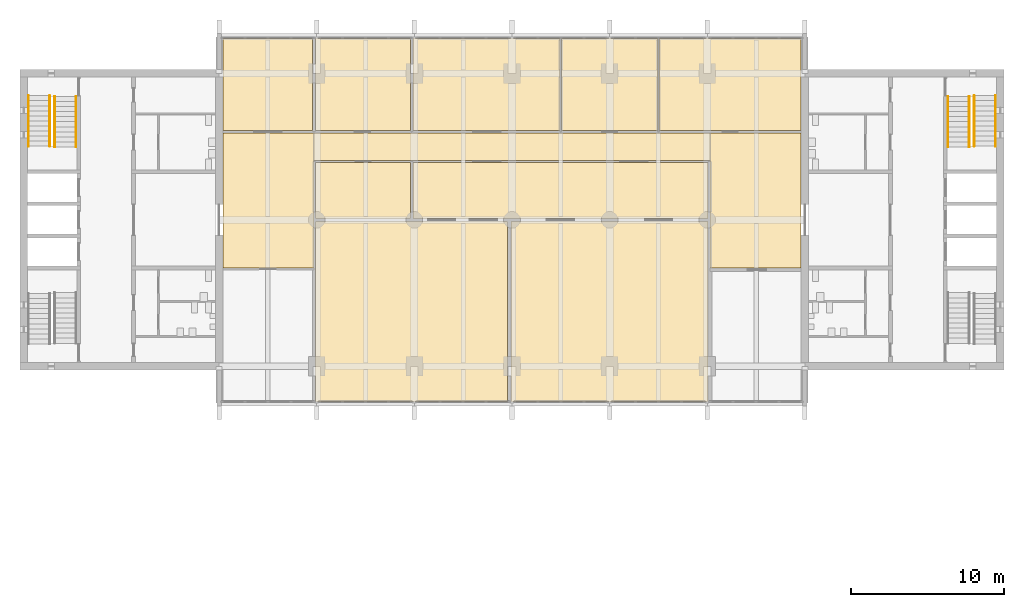
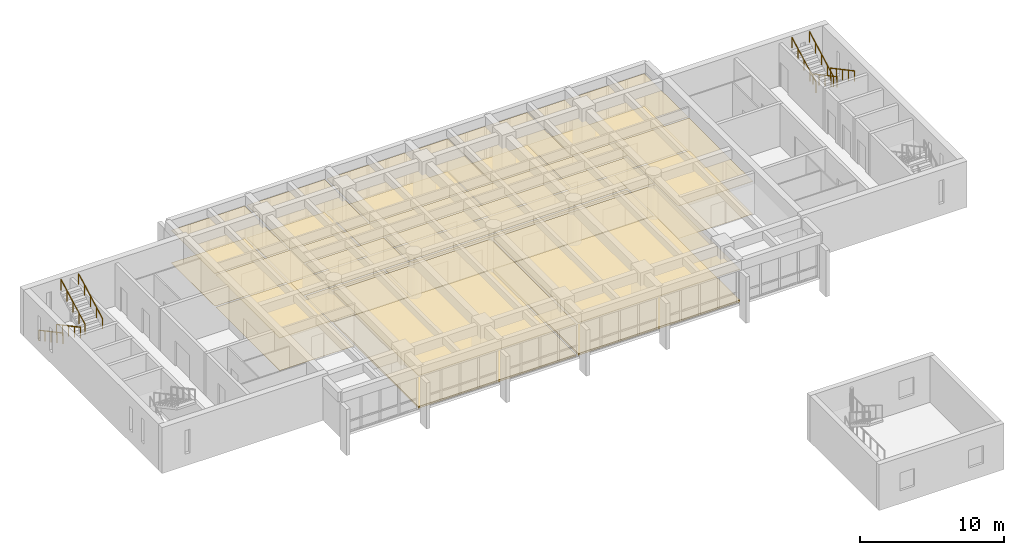
# One storey, part 18 of 19: 24 coverings, 8 railings.
"""IFC4 building model written with IfcOpenShell, lengths in metres."""

from ifc_helpers import new_model, si_unit, direction, frame, origin, origin_2d, place, context, subcontext, project, spatial, polyline, circle, outline, extrude, material, layer, layer_set, type_object, element, save


model = new_model("IFC4")

# Units and contexts
model_context = context("Model", 3, precision=1e-05, world=origin(), true_north=direction((0.0, 1.0)))
body_context = subcontext(model_context, "Body", "Model", "MODEL_VIEW")
ifc_project = project(units=[si_unit("LENGTHUNIT", "METRE"), si_unit("AREAUNIT", "SQUARE_METRE"), si_unit("VOLUMEUNIT", "CUBIC_METRE"), si_unit("PLANEANGLEUNIT", "RADIAN"), si_unit("MASSUNIT", "GRAM", prefix="KILO")], contexts=[model_context])

# Site, building, storey
site_placement = place(None, origin())
site = spatial("IfcSite", under=ifc_project, at=site_placement, CompositionType="ELEMENT")
building_placement = place(site_placement, origin())
building = spatial("IfcBuilding", under=site, at=building_placement, Name="Fogon Plaza Fire Station and Headquarters Tower", CompositionType="ELEMENT")
storey_placement = place(building_placement, frame((0.0, 0.0, 17.10009765625)))
storey = spatial("IfcBuildingStorey", under=building, at=storey_placement, Name="L04", CompositionType="ELEMENT", Elevation=17.10009765625)

# Railings
ifc_material_1 = material(Name="Steel", Category="steel")
railing_type = type_object("IfcRailingType", Name="Stair Handrail 900", PredefinedType="HANDRAIL", material=ifc_material_1)
for number, where, name in (
    (1, (13.10009765625, 51.340087890625, 0.17724609375), "Handrail ST2"),
    (2, (14.5, 51.340087890625, 0.17724609375), "Handrail ST2"),
):
    element("IfcRailing", number, at=place(storey_placement, frame(where)), inside=storey, type_object=railing_type, Name=name, PredefinedType="HANDRAIL", context=body_context, shape_type="SweptSolid", body=[
        extrude(circle(Radius=0.02392578125, at=origin_2d()), frame((0.0, 0.0, 0.8759765625), z_axis=(0.0, -0.881843677922, 0.471541862095), x_axis=(1.0, 0.0, 0.0)), (0.0, 0.0, 1.0), 3.75927734375),
        extrude(circle(Radius=0.02099609375, at=origin_2d()), origin(), (0.0, 0.0, 1.0), 0.851806640625),
        extrude(circle(Radius=0.02099609375, at=origin_2d()), frame((0.0, -0.828857421875, 0.443115234375)), (0.0, 0.0, 1.0), 0.851806640625),
        extrude(circle(Radius=0.02099609375, at=origin_2d()), frame((0.0, -1.65771484375, 0.88623046875)), (0.0, 0.0, 1.0), 0.851806640625),
        extrude(circle(Radius=0.02099609375, at=origin_2d()), frame((0.0, -2.486328125, 1.32958984375)), (0.0, 0.0, 1.0), 0.851806640625),
        extrude(circle(Radius=0.02099609375, at=origin_2d()), frame((0.0, -3.315185546875, 1.772705078125)), (0.0, 0.0, 1.0), 0.851806640625),
    ])
for number, where, name in (
    (3, (16.22509765625, 47.97509765625, 2.127197265625), "Handrail ST2"),
    (4, (14.824951171875, 47.97509765625, 2.127197265625), "Handrail ST2"),
):
    element("IfcRailing", number, at=place(storey_placement, frame(where)), inside=storey, type_object=railing_type, Name=name, PredefinedType="HANDRAIL", context=body_context, shape_type="SweptSolid", body=[
        extrude(circle(Radius=0.02392578125, at=origin_2d()), frame((0.0, 0.0, 0.8759765625), z_axis=(0.0, 0.881829236777, 0.471568867892), x_axis=(-1.0, 0.0, 0.0)), (0.0, 0.0, 1.0), 3.75927734375),
        extrude(circle(Radius=0.02099609375, at=origin_2d()), origin(), (0.0, 0.0, 1.0), 0.851806640625),
        extrude(circle(Radius=0.02099609375, at=origin_2d()), frame((0.0, 0.82861328125, 0.443115234375)), (0.0, 0.0, 1.0), 0.851806640625),
        extrude(circle(Radius=0.02099609375, at=origin_2d()), frame((0.0, 1.657470703125, 0.88623046875)), (0.0, 0.0, 1.0), 0.851806640625),
        extrude(circle(Radius=0.02099609375, at=origin_2d()), frame((0.0, 2.486328125, 1.32958984375)), (0.0, 0.0, 1.0), 0.851806640625),
        extrude(circle(Radius=0.02099609375, at=origin_2d()), frame((0.0, 3.31494140625, 1.772705078125)), (0.0, 0.0, 1.0), 0.851806640625),
    ])
for number, where, name in (
    (5, (76.5, 51.340087890625, 0.17724609375), "Handrail ST4"),
    (6, (75.10009765625, 51.340087890625, 0.17724609375), "Handrail ST4"),
):
    element("IfcRailing", number, at=place(storey_placement, frame(where)), inside=storey, type_object=railing_type, Name=name, PredefinedType="HANDRAIL", context=body_context, shape_type="SweptSolid", body=[
        extrude(circle(Radius=0.02392578125, at=origin_2d()), frame((0.0, 0.0, 0.8759765625), z_axis=(0.0, -0.881843677922, 0.471541862095), x_axis=(1.0, 0.0, 0.0)), (0.0, 0.0, 1.0), 3.75927734375),
        extrude(circle(Radius=0.02099609375, at=origin_2d()), origin(), (0.0, 0.0, 1.0), 0.851806640625),
        extrude(circle(Radius=0.02099609375, at=origin_2d()), frame((0.0, -0.828857421875, 0.443115234375)), (0.0, 0.0, 1.0), 0.851806640625),
        extrude(circle(Radius=0.02099609375, at=origin_2d()), frame((0.0, -1.65771484375, 0.88623046875)), (0.0, 0.0, 1.0), 0.851806640625),
        extrude(circle(Radius=0.02099609375, at=origin_2d()), frame((0.0, -2.486328125, 1.32958984375)), (0.0, 0.0, 1.0), 0.851806640625),
        extrude(circle(Radius=0.02099609375, at=origin_2d()), frame((0.0, -3.315185546875, 1.772705078125)), (0.0, 0.0, 1.0), 0.851806640625),
    ])
for number, where, name in (
    (7, (73.375, 47.97509765625, 2.127197265625), "Handrail ST4"),
    (8, (74.77490234375, 47.97509765625, 2.127197265625), "Handrail ST4"),
):
    element("IfcRailing", number, at=place(storey_placement, frame(where)), inside=storey, type_object=railing_type, Name=name, PredefinedType="HANDRAIL", context=body_context, shape_type="SweptSolid", body=[
        extrude(circle(Radius=0.02392578125, at=origin_2d()), frame((0.0, 0.0, 0.8759765625), z_axis=(0.0, 0.881829236777, 0.471568867892), x_axis=(-1.0, 0.0, 0.0)), (0.0, 0.0, 1.0), 3.75927734375),
        extrude(circle(Radius=0.02099609375, at=origin_2d()), origin(), (0.0, 0.0, 1.0), 0.851806640625),
        extrude(circle(Radius=0.02099609375, at=origin_2d()), frame((0.0, 0.82861328125, 0.443115234375)), (0.0, 0.0, 1.0), 0.851806640625),
        extrude(circle(Radius=0.02099609375, at=origin_2d()), frame((0.0, 1.657470703125, 0.88623046875)), (0.0, 0.0, 1.0), 0.851806640625),
        extrude(circle(Radius=0.02099609375, at=origin_2d()), frame((0.0, 2.486328125, 1.32958984375)), (0.0, 0.0, 1.0), 0.851806640625),
        extrude(circle(Radius=0.02099609375, at=origin_2d()), frame((0.0, 3.31494140625, 1.772705078125)), (0.0, 0.0, 1.0), 0.851806640625),
    ])

# Coverings
ifc_material_2 = material(Name="Acoustic ceiling tile")
ifc_layer_1 = layer(ifc_material_2, 0.050048828125)
ifc_layer_set_1 = layer_set([ifc_layer_1], Name="Acoustic ceiling tile")
covering_type_1 = type_object("IfcCoveringType", Name="Tower acoustic ceiling", PredefinedType="CEILING", material=ifc_layer_set_1)
covering_1_placement = place(storey_placement, frame((0.0, 0.0, 2.72998046875)))
element("IfcCovering", 9, at=covering_1_placement, inside=storey, type_object=covering_type_1, Name="cov-cl-L04-01", PredefinedType="CEILING", context=body_context, shape_type="SweptSolid", body=[
    extrude(outline(polyline([(44.52001953125, 31.300048828125), (44.52001953125, 43.10009765625), (31.919921875, 43.10009765625), (31.919921875, 31.300048828125), (44.52001953125, 31.300048828125)])), origin(), (0.0, 0.0, 1.0), 0.0498046875),
])
covering_2_placement = place(storey_placement, frame((0.0, 0.0, 2.72998046875)))
element("IfcCovering", 10, at=covering_2_placement, inside=storey, type_object=covering_type_1, Name="cov-cl-L04-02", PredefinedType="CEILING", context=body_context, shape_type="SweptSolid", body=[
    extrude(outline(polyline([(57.655029296875, 31.300048828125), (57.655029296875, 43.10009765625), (44.719970703125, 43.10009765625), (44.719970703125, 31.300048828125), (57.655029296875, 31.300048828125)])), origin(), (0.0, 0.0, 1.0), 0.0498046875),
])
covering_3_placement = place(storey_placement, frame((0.0, 0.0, 2.72998046875)))
element("IfcCovering", 11, at=covering_3_placement, inside=storey, type_object=covering_type_1, Name="cov-cl-L04-06", PredefinedType="CEILING", context=body_context, shape_type="SweptSolid", body=[
    extrude(outline(polyline([(38.132568359375, 49.050048828125), (38.132568359375, 55.10009765625), (31.907470703125, 55.10009765625), (31.907470703125, 49.050048828125), (38.132568359375, 49.050048828125)])), origin(), (0.0, 0.0, 1.0), 0.0498046875),
])
covering_4_placement = place(storey_placement, frame((0.0, 0.0, 2.72998046875)))
element("IfcCovering", 12, at=covering_4_placement, inside=storey, type_object=covering_type_1, Name="cov-cl-L04-08", PredefinedType="CEILING", context=body_context, shape_type="SweptSolid", body=[
    extrude(outline(polyline([(54.362548828125, 49.050048828125), (54.362548828125, 55.10009765625), (48.03759765625, 55.10009765625), (48.03759765625, 49.050048828125), (54.362548828125, 49.050048828125)])), origin(), (0.0, 0.0, 1.0), 0.0498046875),
])
ifc_material_3 = material(Name="Carpet tile")
ifc_layer_2 = layer(ifc_material_3, 0.011962890625)
ifc_layer_set_2 = layer_set([ifc_layer_2], Name="Carpet tile")
covering_type_2 = type_object("IfcCoveringType", Name="Tower carpet tile floor", PredefinedType="FLOORING", material=ifc_layer_set_2)
covering_5_placement = place(storey_placement, origin())
element("IfcCovering", 13, at=covering_5_placement, inside=storey, type_object=covering_type_2, Name="cov-fl-L04-03", PredefinedType="FLOORING", context=body_context, shape_type="SweptSolid", body=[
    extrude(outline(polyline([(38.14501953125, 43.300048828125), (38.14501953125, 46.949951171875), (31.919921875, 46.949951171875), (31.919921875, 43.300048828125), (38.14501953125, 43.300048828125)])), origin(), (0.0, 0.0, 1.0), 0.011962890625),
])
covering_6_placement = place(storey_placement, origin())
element("IfcCovering", 14, at=covering_6_placement, inside=storey, type_object=covering_type_2, Name="cov-fl-L04-05", PredefinedType="FLOORING", context=body_context, shape_type="SweptSolid", body=[
    extrude(outline(polyline([(31.732421875, 49.050048828125), (31.732421875, 55.10009765625), (25.85009765625, 55.10009765625), (25.85009765625, 49.050048828125), (31.732421875, 49.050048828125)])), origin(), (0.0, 0.0, 1.0), 0.011962890625),
])
covering_7_placement = place(storey_placement, origin())
element("IfcCovering", 15, at=covering_7_placement, inside=storey, type_object=covering_type_2, Name="cov-fl-L04-06", PredefinedType="FLOORING", context=body_context, shape_type="SweptSolid", body=[
    extrude(outline(polyline([(38.132568359375, 49.050048828125), (38.132568359375, 55.10009765625), (31.907470703125, 55.10009765625), (31.907470703125, 49.050048828125), (38.132568359375, 49.050048828125)])), origin(), (0.0, 0.0, 1.0), 0.011962890625),
])
covering_8_placement = place(storey_placement, origin())
element("IfcCovering", 16, at=covering_8_placement, inside=storey, type_object=covering_type_2, Name="cov-fl-L04-07", PredefinedType="FLOORING", context=body_context, shape_type="SweptSolid", body=[
    extrude(outline(polyline([(47.96240234375, 49.050048828125), (47.96240234375, 55.10009765625), (38.3076171875, 55.10009765625), (38.3076171875, 49.050048828125), (47.96240234375, 49.050048828125)])), origin(), (0.0, 0.0, 1.0), 0.011962890625),
])
covering_9_placement = place(storey_placement, origin())
element("IfcCovering", 17, at=covering_9_placement, inside=storey, type_object=covering_type_2, Name="cov-fl-L04-08", PredefinedType="FLOORING", context=body_context, shape_type="SweptSolid", body=[
    extrude(outline(polyline([(54.362548828125, 49.050048828125), (54.362548828125, 55.10009765625), (48.03759765625, 55.10009765625), (48.03759765625, 49.050048828125), (54.362548828125, 49.050048828125)])), origin(), (0.0, 0.0, 1.0), 0.011962890625),
])
covering_10_placement = place(storey_placement, origin())
element("IfcCovering", 18, at=covering_10_placement, inside=storey, type_object=covering_type_2, Name="cov-fl-L04-09", PredefinedType="FLOORING", context=body_context, shape_type="SweptSolid", body=[
    extrude(outline(polyline([(63.75, 49.050048828125), (63.75, 55.10009765625), (54.4375, 55.10009765625), (54.4375, 49.050048828125), (63.75, 49.050048828125)])), origin(), (0.0, 0.0, 1.0), 0.011962890625),
])
ifc_material_4 = material(Name="Heavy duty carpet tile")
ifc_layer_3 = layer(ifc_material_4, 0.013916015625)
ifc_layer_set_3 = layer_set([ifc_layer_3], Name="Heavy duty carpet tile")
covering_type_3 = type_object("IfcCoveringType", Name="Tower corridor carpet floor", PredefinedType="FLOORING", material=ifc_layer_set_3)
covering_11_placement = place(storey_placement, origin())
element("IfcCovering", 19, at=covering_11_placement, inside=storey, type_object=covering_type_3, Name="cov-fl-L04-04", PredefinedType="FLOORING", context=body_context, shape_type="SweptSolid", body=[
    extrude(outline(polyline([(57.655029296875, 43.300048828125), (57.655029296875, 46.949951171875), (38.294921875, 46.949951171875), (38.294921875, 43.300048828125), (57.655029296875, 43.300048828125)])), origin(), (0.0, 0.0, 1.0), 0.013916015625),
])
covering_12_placement = place(storey_placement, origin())
element("IfcCovering", 20, at=covering_12_placement, inside=storey, type_object=covering_type_3, Name="cov-fl-L04-12", PredefinedType="FLOORING", context=body_context, shape_type="SweptSolid", body=[
    extrude(outline(polyline([(57.780029296875, 47.10009765625), (57.780029296875, 48.89990234375), (31.820068359375, 48.89990234375), (31.820068359375, 47.10009765625), (57.780029296875, 47.10009765625)])), origin(), (0.0, 0.0, 1.0), 0.013916015625),
])
covering_13_placement = place(storey_placement, origin())
element("IfcCovering", 21, at=covering_13_placement, inside=storey, type_object=covering_type_3, Name="cov-fl-L04-13", PredefinedType="FLOORING", context=body_context, shape_type="SweptSolid", body=[
    extrude(outline(polyline([(31.820068359375, 40.050048828125), (31.820068359375, 48.89990234375), (25.85009765625, 48.89990234375), (25.85009765625, 40.050048828125), (31.820068359375, 40.050048828125)])), origin(), (0.0, 0.0, 1.0), 0.013916015625),
])
covering_14_placement = place(storey_placement, origin())
element("IfcCovering", 22, at=covering_14_placement, inside=storey, type_object=covering_type_3, Name="cov-fl-L04-14", PredefinedType="FLOORING", context=body_context, shape_type="SweptSolid", body=[
    extrude(outline(polyline([(63.75, 40.050048828125), (63.75, 48.89990234375), (57.780029296875, 48.89990234375), (57.780029296875, 40.050048828125), (63.75, 40.050048828125)])), origin(), (0.0, 0.0, 1.0), 0.013916015625),
])
ifc_material_5 = material(Name="Plasterboard ceiling")
ifc_layer_4 = layer(ifc_material_5, 0.030029296875)
ifc_layer_set_4 = layer_set([ifc_layer_4], Name="Plasterboard ceiling")
covering_type_4 = type_object("IfcCoveringType", Name="Tower plasterboard ceiling", PredefinedType="CEILING", material=ifc_layer_set_4)
covering_15_placement = place(storey_placement, frame((0.0, 0.0, 2.75)))
element("IfcCovering", 23, at=covering_15_placement, inside=storey, type_object=covering_type_4, Name="cov-cl-L04-04", PredefinedType="CEILING", context=body_context, shape_type="SweptSolid", body=[
    extrude(outline(polyline([(57.655029296875, 43.300048828125), (57.655029296875, 46.949951171875), (38.294921875, 46.949951171875), (38.294921875, 43.300048828125), (57.655029296875, 43.300048828125)])), origin(), (0.0, 0.0, 1.0), 0.02978515625),
])
covering_16_placement = place(storey_placement, frame((0.0, 0.0, 2.75)))
element("IfcCovering", 24, at=covering_16_placement, inside=storey, type_object=covering_type_4, Name="cov-cl-L04-12", PredefinedType="CEILING", context=body_context, shape_type="SweptSolid", body=[
    extrude(outline(polyline([(57.780029296875, 47.10009765625), (57.780029296875, 48.89990234375), (31.820068359375, 48.89990234375), (31.820068359375, 47.10009765625), (57.780029296875, 47.10009765625)])), origin(), (0.0, 0.0, 1.0), 0.02978515625),
])
covering_17_placement = place(storey_placement, frame((0.0, 0.0, 2.75)))
element("IfcCovering", 25, at=covering_17_placement, inside=storey, type_object=covering_type_4, Name="cov-cl-L04-13", PredefinedType="CEILING", context=body_context, shape_type="SweptSolid", body=[
    extrude(outline(polyline([(31.820068359375, 40.050048828125), (31.820068359375, 48.89990234375), (25.85009765625, 48.89990234375), (25.85009765625, 40.050048828125), (31.820068359375, 40.050048828125)])), origin(), (0.0, 0.0, 1.0), 0.02978515625),
])
covering_18_placement = place(storey_placement, frame((0.0, 0.0, 2.75)))
element("IfcCovering", 26, at=covering_18_placement, inside=storey, type_object=covering_type_4, Name="cov-cl-L04-14", PredefinedType="CEILING", context=body_context, shape_type="SweptSolid", body=[
    extrude(outline(polyline([(63.75, 40.050048828125), (63.75, 48.89990234375), (57.780029296875, 48.89990234375), (57.780029296875, 40.050048828125), (63.75, 40.050048828125)])), origin(), (0.0, 0.0, 1.0), 0.02978515625),
])
ifc_material_6 = material(Name="Raised access floor panels")
ifc_layer_5 = layer(ifc_material_6, 0.14990234375)
ifc_layer_set_5 = layer_set([ifc_layer_5], Name="Raised access floor panels")
covering_type_5 = type_object("IfcCoveringType", Name="Tower raised access floor", PredefinedType="FLOORING", material=ifc_layer_set_5)
covering_19_placement = place(storey_placement, origin())
element("IfcCovering", 27, at=covering_19_placement, inside=storey, type_object=covering_type_5, Name="cov-fl-L04-01", PredefinedType="FLOORING", context=body_context, shape_type="SweptSolid", body=[
    extrude(outline(polyline([(44.52001953125, 31.300048828125), (44.52001953125, 43.10009765625), (31.919921875, 43.10009765625), (31.919921875, 31.300048828125), (44.52001953125, 31.300048828125)])), origin(), (0.0, 0.0, 1.0), 0.14990234375),
])
covering_20_placement = place(storey_placement, origin())
element("IfcCovering", 28, at=covering_20_placement, inside=storey, type_object=covering_type_5, Name="cov-fl-L04-02", PredefinedType="FLOORING", context=body_context, shape_type="SweptSolid", body=[
    extrude(outline(polyline([(57.655029296875, 31.300048828125), (57.655029296875, 43.10009765625), (44.719970703125, 43.10009765625), (44.719970703125, 31.300048828125), (57.655029296875, 31.300048828125)])), origin(), (0.0, 0.0, 1.0), 0.14990234375),
])
ifc_material_7 = material(Name="Mineral fibre ceiling tile")
ifc_layer_6 = layer(ifc_material_7, 0.0400390625)
ifc_layer_set_6 = layer_set([ifc_layer_6], Name="Mineral fibre ceiling tile")
covering_type_6 = type_object("IfcCoveringType", Name="Tower suspended tile ceiling", PredefinedType="CEILING", material=ifc_layer_set_6)
covering_21_placement = place(storey_placement, frame((0.0, 0.0, 2.739990234375)))
element("IfcCovering", 29, at=covering_21_placement, inside=storey, type_object=covering_type_6, Name="cov-cl-L04-03", PredefinedType="CEILING", context=body_context, shape_type="SweptSolid", body=[
    extrude(outline(polyline([(38.14501953125, 43.300048828125), (38.14501953125, 46.949951171875), (31.919921875, 46.949951171875), (31.919921875, 43.300048828125), (38.14501953125, 43.300048828125)])), origin(), (0.0, 0.0, 1.0), 0.039794921875),
])
covering_22_placement = place(storey_placement, frame((0.0, 0.0, 2.739990234375)))
element("IfcCovering", 30, at=covering_22_placement, inside=storey, type_object=covering_type_6, Name="cov-cl-L04-05", PredefinedType="CEILING", context=body_context, shape_type="SweptSolid", body=[
    extrude(outline(polyline([(31.732421875, 49.050048828125), (31.732421875, 55.10009765625), (25.85009765625, 55.10009765625), (25.85009765625, 49.050048828125), (31.732421875, 49.050048828125)])), origin(), (0.0, 0.0, 1.0), 0.039794921875),
])
covering_23_placement = place(storey_placement, frame((0.0, 0.0, 2.739990234375)))
element("IfcCovering", 31, at=covering_23_placement, inside=storey, type_object=covering_type_6, Name="cov-cl-L04-07", PredefinedType="CEILING", context=body_context, shape_type="SweptSolid", body=[
    extrude(outline(polyline([(47.96240234375, 49.050048828125), (47.96240234375, 55.10009765625), (38.3076171875, 55.10009765625), (38.3076171875, 49.050048828125), (47.96240234375, 49.050048828125)])), origin(), (0.0, 0.0, 1.0), 0.039794921875),
])
covering_24_placement = place(storey_placement, frame((0.0, 0.0, 2.739990234375)))
element("IfcCovering", 32, at=covering_24_placement, inside=storey, type_object=covering_type_6, Name="cov-cl-L04-09", PredefinedType="CEILING", context=body_context, shape_type="SweptSolid", body=[
    extrude(outline(polyline([(63.75, 49.050048828125), (63.75, 55.10009765625), (54.4375, 55.10009765625), (54.4375, 49.050048828125), (63.75, 49.050048828125)])), origin(), (0.0, 0.0, 1.0), 0.039794921875),
])

save(model, "model.ifc")
